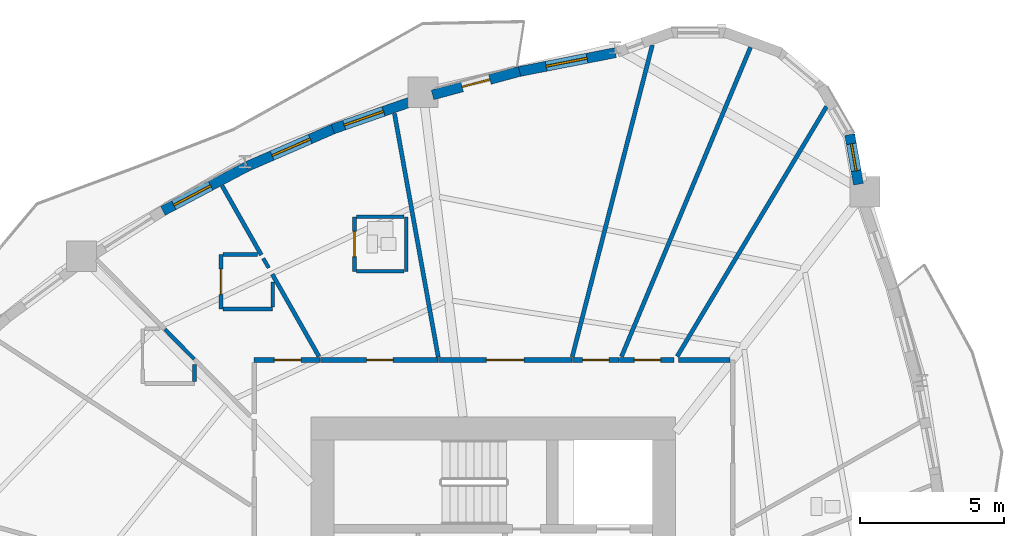
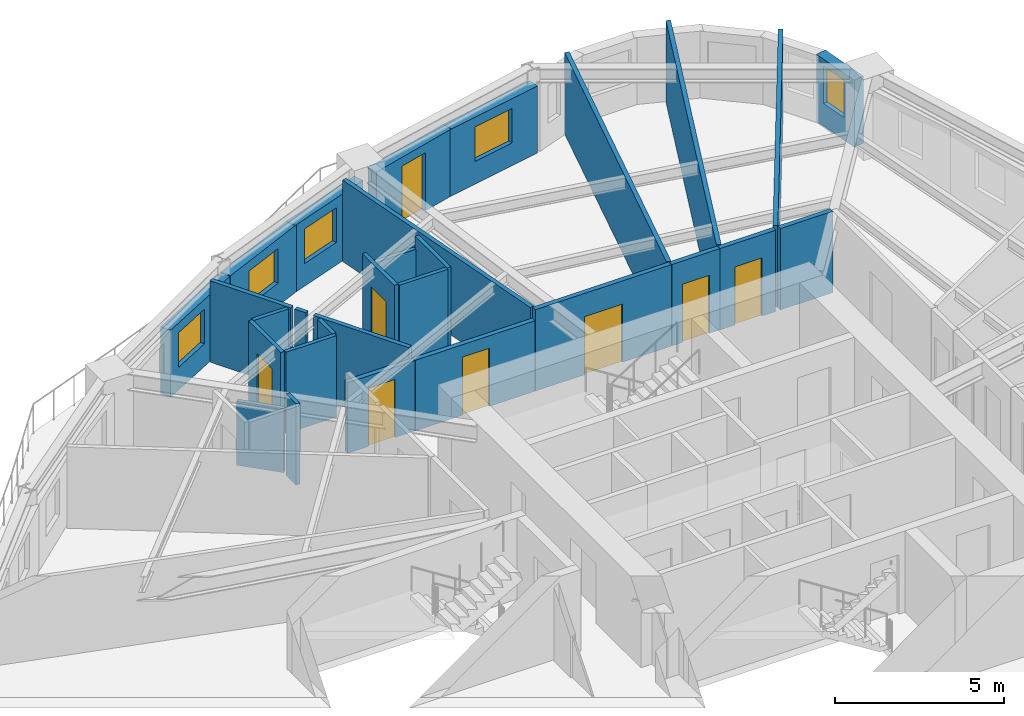
# One storey, part 8 of 13: 29 walls, 8 doors, 5 windows, 13 openings.
"""IFC4 building model written with IfcOpenShell, lengths in metres."""

from ifc_helpers import new_model, si_unit, direction, frame, frame_2d, origin, place, context, subcontext, project, spatial, rectangle, extrude, source, transform, mapped, material, layer, layer_set, type_object, element, fill, save


model = new_model("IFC4")

# Units and contexts
model_context = context("Model", 3, precision=1e-05, world=origin(), true_north=direction((0.0, 1.0)))
body_context = subcontext(model_context, "Body", "Model", "MODEL_VIEW")
ifc_project = project(units=[si_unit("LENGTHUNIT", "METRE"), si_unit("AREAUNIT", "SQUARE_METRE"), si_unit("VOLUMEUNIT", "CUBIC_METRE"), si_unit("PLANEANGLEUNIT", "RADIAN"), si_unit("MASSUNIT", "GRAM", prefix="KILO")], contexts=[model_context])

# Site, building, storey
site_placement = place(None, origin())
site = spatial("IfcSite", under=ifc_project, at=site_placement, CompositionType="ELEMENT")
building_placement = place(site_placement, origin())
building = spatial("IfcBuilding", under=site, at=building_placement, Name="Qafzar Sky-Pleat Residences", CompositionType="ELEMENT")
storey_placement = place(building_placement, frame((0.0, 0.0, 49.39990234375)))
storey = spatial("IfcBuildingStorey", under=building, at=storey_placement, Name="L14", CompositionType="ELEMENT", Elevation=49.39990234375)

# Wall, opening, door
ifc_material_1 = material(Name="Acoustic gypsum plasterboard partition", Category="gypsum")
ifc_layer_1 = layer(ifc_material_1, 0.159912109375)
ifc_layer_set_1 = layer_set([ifc_layer_1], Name="Acoustic gypsum plasterboard partition")
wall_type_1 = type_object("IfcWallType", Name="PART-COR-160", PredefinedType="PARTITIONING", material=ifc_layer_set_1)
wall_1_placement = place(storey_placement, frame((28.43310546875, 36.580078125, 0.0), z_axis=(0.0, 0.0, 1.0), x_axis=(1.0, 0.0, 0.0)))
wall_1 = element("IfcWall", 1, at=wall_1_placement, inside=storey, type_object=wall_type_1, Name="L14 Partition Wall PART-L14-PW-004", PredefinedType="PARTITIONING", context=body_context, shape_type="SweptSolid", body=[
    extrude(rectangle(XDim=4.65087890625, YDim=0.159912109375, at=frame_2d((2.325439453125, 0.0))), origin(), (0.0, 0.0, 1.0), 2.940185546875),
])
opening_1_placement = place(wall_1_placement, frame((1.675537109375, 0.0, 0.0)))
opening_1 = element("IfcOpeningElement", 2, at=opening_1_placement, cuts=wall_1, Name="Opening ID-05", PredefinedType="OPENING", context=body_context, shape_type="SweptSolid", body=[
    extrude(rectangle(XDim=1.300048828125, YDim=2.10009765625, at=frame_2d((0.64990234375, 1.050048828125))), frame((0.0, 0.08984375, 0.0), z_axis=(0.0, -1.0, 0.0), x_axis=(1.0, 0.0, 0.0)), (0.0, 0.0, 1.0), 0.179931640625),
])
ifc_material_2 = material(Name="Timber-faced fire door", Category="wood")
door_type_1 = type_object("IfcDoorType", Name="DR-LNG-1300", OperationType="DOUBLE_DOOR_SINGLE_SWING", PredefinedType="DOOR", material=ifc_material_2)
shared_shape_1 = source(origin(), body_context, "Body", "SweptSolid", [
    extrude(rectangle(XDim=1.300048828125, YDim=2.10009765625, at=frame_2d((0.64990234375, 1.050048828125))), frame((0.0, 0.02490234375, 0.0), z_axis=(0.0, -1.0, 0.0), x_axis=(1.0, 0.0, 0.0)), (0.0, 0.0, 1.0), 0.050048828125),
])
door_1_placement = place(opening_1_placement, origin())
door_1 = element("IfcDoor", 3, at=door_1_placement, inside=storey, type_object=door_type_1, Name="L14 Tutorial Huddle Room Door", OperationType="DOUBLE_DOOR_SINGLE_SWING", OverallHeight=2.10009765625, OverallWidth=1.300048828125, PredefinedType="DOOR", context=body_context, shape_type="MappedRepresentation", body=[
    mapped(shared_shape_1, transform((0.0, 0.0, 0.0), x_axis=(1.0, 0.0, 0.0), y_axis=(0.0, 1.0, 0.0), z_axis=(0.0, 0.0, 1.0), scale=1.0)),
])
fill(opening_1, door_1)

wall_2_placement = place(storey_placement, frame((24.3291015625, 36.580078125, 0.0), z_axis=(0.0, 0.0, 1.0), x_axis=(1.0, 0.0, 0.0)))
wall_2 = element("IfcWall", 4, at=wall_2_placement, inside=storey, type_object=wall_type_1, Name="L14 Partition Wall PART-L14-PW-005", PredefinedType="PARTITIONING", context=body_context, shape_type="SweptSolid", body=[
    extrude(rectangle(XDim=4.0888671875, YDim=0.159912109375, at=frame_2d((2.04443359375, 0.0))), origin(), (0.0, 0.0, 1.0), 2.548095703125),
])
opening_2_placement = place(wall_2_placement, frame((1.6083984375, 0.0, 0.0)))
opening_2 = element("IfcOpeningElement", 5, at=opening_2_placement, cuts=wall_2, Name="Opening ID-04", PredefinedType="OPENING", context=body_context, shape_type="SweptSolid", body=[
    extrude(rectangle(XDim=0.919921875, YDim=2.10009765625, at=frame_2d((0.4599609375, 1.050048828125))), frame((0.0, 0.08984375, 0.0), z_axis=(0.0, -1.0, 0.0), x_axis=(1.0, 0.0, 0.0)), (0.0, 0.0, 1.0), 0.179931640625),
])
door_type_2 = type_object("IfcDoorType", Name="DR-BED-920", OperationType="NOTDEFINED", PredefinedType="DOOR", material=ifc_material_2)
shared_shape_2 = source(origin(), body_context, "Body", "SweptSolid", [
    extrude(rectangle(XDim=0.919921875, YDim=2.10009765625, at=frame_2d((0.4599609375, 1.050048828125))), frame((0.0, 0.02490234375, 0.0), z_axis=(0.0, -1.0, 0.0), x_axis=(1.0, 0.0, 0.0)), (0.0, 0.0, 1.0), 0.050048828125),
])
door_2_placement = place(opening_2_placement, origin())
door_2 = element("IfcDoor", 6, at=door_2_placement, inside=storey, type_object=door_type_2, Name="L14 Co-Living Bedroom 7 Door", OperationType="SINGLE_SWING_LEFT", OverallHeight=2.10009765625, OverallWidth=0.919921875, PredefinedType="DOOR", context=body_context, shape_type="MappedRepresentation", body=[
    mapped(shared_shape_2, transform((0.0, 0.0, 0.0), x_axis=(1.0, 0.0, 0.0), y_axis=(0.0, 1.0, 0.0), z_axis=(0.0, 0.0, 1.0), scale=1.0)),
])
fill(opening_2, door_2)

wall_3_placement = place(storey_placement, frame((22.02001953125, 36.580078125, 0.0), z_axis=(0.0, 0.0, 1.0), x_axis=(1.0, 0.0, 0.0)))
wall_3 = element("IfcWall", 7, at=wall_3_placement, inside=storey, type_object=wall_type_1, Name="L14 Partition Wall PART-L14-PW-013", PredefinedType="PARTITIONING", context=body_context, shape_type="SweptSolid", body=[
    extrude(rectangle(XDim=2.2939453125, YDim=0.159912109375, at=frame_2d((1.14697265625, 0.0))), origin(), (0.0, 0.0, 1.0), 2.548095703125),
])
opening_3_placement = place(wall_3_placement, frame((0.702880859375, 0.0, 0.0)))
opening_3 = element("IfcOpeningElement", 8, at=opening_3_placement, cuts=wall_3, Name="Opening ID-04", PredefinedType="OPENING", context=body_context, shape_type="SweptSolid", body=[
    extrude(rectangle(XDim=0.919921875, YDim=2.10009765625, at=frame_2d((0.4599609375, 1.050048828125))), frame((0.0, 0.08984375, 0.0), z_axis=(0.0, -1.0, 0.0), x_axis=(1.0, 0.0, 0.0)), (0.0, 0.0, 1.0), 0.179931640625),
])
door_3_placement = place(opening_3_placement, origin())
door_3 = element("IfcDoor", 9, at=door_3_placement, inside=storey, type_object=door_type_2, Name="L14 Co-Living Bedroom 9 Door", OperationType="SINGLE_SWING_LEFT", OverallHeight=2.10009765625, OverallWidth=0.919921875, PredefinedType="DOOR", context=body_context, shape_type="MappedRepresentation", body=[
    mapped(shared_shape_2, transform((0.0, 0.0, 0.0), x_axis=(1.0, 0.0, 0.0), y_axis=(0.0, 1.0, 0.0), z_axis=(0.0, 0.0, 1.0), scale=1.0)),
])
fill(opening_3, door_3)

wall_4_placement = place(storey_placement, frame((34.74609375, 36.580078125, 0.0), z_axis=(0.0, 0.0, 1.0), x_axis=(1.0, 0.0, 0.0)))
wall_4 = element("IfcWall", 10, at=wall_4_placement, inside=storey, type_object=wall_type_1, Name="L14 Partition Wall PART-L14-PW-022", PredefinedType="PARTITIONING", context=body_context, shape_type="SweptSolid", body=[
    extrude(rectangle(XDim=1.89794921875, YDim=0.159912109375, at=frame_2d((0.948974609375, 0.0))), origin(), (0.0, 0.0, 1.0), 2.940185546875),
])
opening_4_placement = place(wall_4_placement, frame((0.513427734375, 0.0, 0.0)))
opening_4 = element("IfcOpeningElement", 11, at=opening_4_placement, cuts=wall_4, Name="Opening ID-04", PredefinedType="OPENING", context=body_context, shape_type="SweptSolid", body=[
    extrude(rectangle(XDim=0.919921875, YDim=2.10009765625, at=frame_2d((0.4599609375, 1.050048828125))), frame((0.0, 0.08984375, 0.0), z_axis=(0.0, -1.0, 0.0), x_axis=(1.0, 0.0, 0.0)), (0.0, 0.0, 1.0), 0.179931640625),
])
door_4_placement = place(opening_4_placement, origin())
door_4 = element("IfcDoor", 12, at=door_4_placement, inside=storey, type_object=door_type_2, Name="L14 Co-Living Bedroom 6 Door", OperationType="SINGLE_SWING_RIGHT", OverallHeight=2.10009765625, OverallWidth=0.919921875, PredefinedType="DOOR", context=body_context, shape_type="MappedRepresentation", body=[
    mapped(shared_shape_2, transform((0.0, 0.0, 0.0), x_axis=(1.0, 0.0, 0.0), y_axis=(0.0, 1.0, 0.0), z_axis=(0.0, 0.0, 1.0), scale=1.0)),
])
fill(opening_4, door_4)

wall_5_placement = place(storey_placement, frame((33.09912109375, 36.580078125, 0.0), z_axis=(0.0, 0.0, 1.0), x_axis=(1.0, 0.0, 0.0)))
wall_5 = element("IfcWall", 13, at=wall_5_placement, inside=storey, type_object=wall_type_1, Name="L14 Partition Wall PART-L14-PW-026", PredefinedType="PARTITIONING", context=body_context, shape_type="SweptSolid", body=[
    extrude(rectangle(XDim=1.6318359375, YDim=0.159912109375, at=frame_2d((0.81591796875, 0.0))), origin(), (0.0, 0.0, 1.0), 2.940185546875),
])
opening_5_placement = place(wall_5_placement, frame((0.3564453125, 0.0, 0.0)))
opening_5 = element("IfcOpeningElement", 14, at=opening_5_placement, cuts=wall_5, Name="Opening ID-04", PredefinedType="OPENING", context=body_context, shape_type="SweptSolid", body=[
    extrude(rectangle(XDim=0.919921875, YDim=2.10009765625, at=frame_2d((0.4599609375, 1.050048828125))), frame((0.0, 0.08984375, 0.0), z_axis=(0.0, -1.0, 0.0), x_axis=(1.0, 0.0, 0.0)), (0.0, 0.0, 1.0), 0.179931640625),
])
door_5_placement = place(opening_5_placement, origin())
door_5 = element("IfcDoor", 15, at=door_5_placement, inside=storey, type_object=door_type_2, Name="L14 Co-Living Bedroom 5 Door", OperationType="SINGLE_SWING_RIGHT", OverallHeight=2.10009765625, OverallWidth=0.919921875, PredefinedType="DOOR", context=body_context, shape_type="MappedRepresentation", body=[
    mapped(shared_shape_2, transform((0.0, 0.0, 0.0), x_axis=(1.0, 0.0, 0.0), y_axis=(0.0, 1.0, 0.0), z_axis=(0.0, 0.0, 1.0), scale=1.0)),
])
fill(opening_5, door_5)

# Walls
wall_6_placement = place(storey_placement, frame((36.79931640625, 36.580078125, 0.0), z_axis=(0.0, 0.0, 1.0), x_axis=(1.0, 0.0, 0.0)))
element("IfcWall", 16, at=wall_6_placement, inside=storey, type_object=wall_type_1, Name="L14 Partition Wall PART-L14-PW-058", PredefinedType="PARTITIONING", context=body_context, shape_type="SweptSolid", body=[
    extrude(rectangle(XDim=1.792724609375, YDim=0.159912109375, at=frame_2d((0.896484375, 0.0))), origin(), (0.0, 0.0, 1.0), 2.940185546875),
])
ifc_layer_2 = layer(ifc_material_1, 0.14501953125)
ifc_layer_set_2 = layer_set([ifc_layer_2], Name="Acoustic gypsum plasterboard partition")
wall_type_2 = type_object("IfcWallType", Name="PART-UNIT-145", PredefinedType="PARTITIONING", material=ifc_layer_set_2)
wall_7_placement = place(storey_placement, frame((34.81103515625, 36.6953125, 0.0), z_axis=(0.0, 0.0, 1.0), x_axis=(0.384925700713, 0.922947563479, 0.0)))
element("IfcWall", 17, at=wall_7_placement, inside=storey, type_object=wall_type_2, Name="L14 Partition Wall PART-L14-PW-032", PredefinedType="PARTITIONING", context=body_context, shape_type="SweptSolid", body=[
    extrude(rectangle(XDim=11.6748046875, YDim=0.14501953125, at=frame_2d((5.83740234375, 0.0))), origin(), (0.0, 0.0, 1.0), 2.940185546875),
])
wall_8_placement = place(storey_placement, frame((33.09521484375, 36.685791015625, 0.0), z_axis=(0.0, 0.0, 1.0), x_axis=(0.24882519125, 0.96854841087, 0.0)))
element("IfcWall", 18, at=wall_8_placement, inside=storey, type_object=wall_type_2, Name="L14 Partition Wall PART-L14-PW-034", PredefinedType="PARTITIONING", context=body_context, shape_type="SweptSolid", body=[
    extrude(rectangle(XDim=11.2158203125, YDim=0.14501953125, at=frame_2d((5.60791015625, 0.0))), origin(), (0.0, 0.0, 1.0), 2.940185546875),
])
wall_9_placement = place(storey_placement, frame((36.750244140625, 36.7041015625, 0.0), z_axis=(0.0, 0.0, 1.0), x_axis=(0.51326307339, 0.858231330991, 0.0)))
element("IfcWall", 19, at=wall_9_placement, inside=storey, type_object=wall_type_2, Name="L14 Partition Wall PART-L14-PW-038", PredefinedType="PARTITIONING", context=body_context, shape_type="SweptSolid", body=[
    extrude(rectangle(XDim=10.14013671875, YDim=0.14501953125, at=frame_2d((5.070068359375, 0.0))), origin(), (0.0, 0.0, 1.0), 2.940185546875),
])
wall_10_placement = place(storey_placement, frame((26.9052734375, 45.16650390625, 0.0), z_axis=(0.0, 0.0, 1.0), x_axis=(0.176948932403, -0.984220033997, 0.0)))
element("IfcWall", 20, at=wall_10_placement, inside=storey, type_object=wall_type_2, Name="L14 Partition Wall PART-L14-PW-039", PredefinedType="PARTITIONING", context=body_context, shape_type="SweptSolid", body=[
    extrude(rectangle(XDim=8.621826171875, YDim=0.14501953125, at=frame_2d((4.31103515625, 0.0))), origin(), (0.0, 0.0, 1.0), 2.940185546875),
])
wall_11_placement = place(storey_placement, frame((22.65087890625, 39.56689453125, 0.0), z_axis=(0.0, 0.0, 1.0), x_axis=(0.493566118786, -0.8697082766, 0.0)))
element("IfcWall", 21, at=wall_11_placement, inside=storey, type_object=wall_type_2, Name="L14 Partition Wall PART-L14-PW-050", PredefinedType="PARTITIONING", context=body_context, shape_type="SweptSolid", body=[
    extrude(rectangle(XDim=3.29345703125, YDim=0.14501953125, at=frame_2d((1.646728515625, 0.0))), origin(), (0.0, 0.0, 1.0), 2.940185546875),
])
wall_12_placement = place(storey_placement, frame((20.901123046875, 42.651123046875, 0.0), z_axis=(0.0, 0.0, 1.0), x_axis=(0.4934166236, -0.86979309928, 0.0)))
element("IfcWall", 22, at=wall_12_placement, inside=storey, type_object=wall_type_2, Name="L14 Partition Wall PART-L14-PW-054", PredefinedType="PARTITIONING", context=body_context, shape_type="SweptSolid", body=[
    extrude(rectangle(XDim=2.7744140625, YDim=0.14501953125, at=frame_2d((1.38720703125, 0.0))), origin(), (0.0, 0.0, 1.0), 2.940185546875),
])

# Wall, opening, door
ifc_material_3 = material(Name="Moisture-resistant gypsum partition", Category="gypsum")
ifc_layer_3 = layer(ifc_material_3, 0.1298828125)
ifc_layer_set_3 = layer_set([ifc_layer_3], Name="Moisture-resistant gypsum partition")
wall_type_3 = type_object("IfcWallType", Name="PART-WET-130", PredefinedType="PARTITIONING", material=ifc_layer_set_3)
wall_13_placement = place(storey_placement, frame((25.511962890625, 41.568115234375, 0.0), z_axis=(0.0, 0.0, 1.0), x_axis=(0.0, -1.0, 0.0)))
wall_13 = element("IfcWall", 23, at=wall_13_placement, inside=storey, type_object=wall_type_3, Name="L14 Partition Wall PART-L14-PW-018", PredefinedType="PARTITIONING", context=body_context, shape_type="SweptSolid", body=[
    extrude(rectangle(XDim=1.900146484375, YDim=0.1298828125, at=frame_2d((0.9501953125, 0.0))), origin(), (0.0, 0.0, 1.0), 2.940185546875),
])
opening_6_placement = place(wall_13_placement, frame((0.510009765625, 0.0, 0.0)))
opening_6 = element("IfcOpeningElement", 24, at=opening_6_placement, cuts=wall_13, Name="Opening ID-07", PredefinedType="OPENING", context=body_context, shape_type="SweptSolid", body=[
    extrude(rectangle(XDim=0.8798828125, YDim=2.050048828125, at=frame_2d((0.43994140625, 1.02490234375))), frame((0.0, 0.074951171875, 0.0), z_axis=(0.0, -1.0, 0.0), x_axis=(1.0, 0.0, 0.0)), (0.0, 0.0, 1.0), 0.14990234375),
])
door_type_3 = type_object("IfcDoorType", Name="DR-WET-880", OperationType="NOTDEFINED", PredefinedType="DOOR", material=ifc_material_2)
shared_shape_3 = source(origin(), body_context, "Body", "SweptSolid", [
    extrude(rectangle(XDim=0.8798828125, YDim=2.050048828125, at=frame_2d((0.43994140625, 1.02490234375))), frame((0.0, 0.02490234375, 0.0), z_axis=(0.0, -1.0, 0.0), x_axis=(1.0, 0.0, 0.0)), (0.0, 0.0, 1.0), 0.050048828125),
])
door_6_placement = place(opening_6_placement, origin())
door_6 = element("IfcDoor", 25, at=door_6_placement, inside=storey, type_object=door_type_3, Name="L14 En-suite Bathroom 7 Door", OperationType="SINGLE_SWING_RIGHT", OverallHeight=2.050048828125, OverallWidth=0.8798828125, PredefinedType="DOOR", context=body_context, shape_type="MappedRepresentation", body=[
    mapped(shared_shape_3, transform((0.0, 0.0, 0.0), x_axis=(1.0, 0.0, 0.0), y_axis=(0.0, 1.0, 0.0), z_axis=(0.0, 0.0, 1.0), scale=1.0)),
])
fill(opening_6, door_6)

wall_14_placement = place(storey_placement, frame((20.865966796875, 40.2529296875, 0.0), z_axis=(0.0, 0.0, 1.0), x_axis=(0.0, -1.0, 0.0)))
wall_14 = element("IfcWall", 26, at=wall_14_placement, inside=storey, type_object=wall_type_3, Name="L14 Partition Wall PART-L14-PW-020", PredefinedType="PARTITIONING", context=body_context, shape_type="SweptSolid", body=[
    extrude(rectangle(XDim=1.89990234375, YDim=0.1298828125, at=frame_2d((0.949951171875, 0.0))), origin(), (0.0, 0.0, 1.0), 2.940185546875),
])
opening_7_placement = place(wall_14_placement, frame((0.510009765625, 0.0, 0.0)))
opening_7 = element("IfcOpeningElement", 27, at=opening_7_placement, cuts=wall_14, Name="Opening ID-07", PredefinedType="OPENING", context=body_context, shape_type="SweptSolid", body=[
    extrude(rectangle(XDim=0.8798828125, YDim=2.050048828125, at=frame_2d((0.43994140625, 1.02490234375))), frame((0.0, 0.074951171875, 0.0), z_axis=(0.0, -1.0, 0.0), x_axis=(1.0, 0.0, 0.0)), (0.0, 0.0, 1.0), 0.14990234375),
])
door_7_placement = place(opening_7_placement, origin())
door_7 = element("IfcDoor", 28, at=door_7_placement, inside=storey, type_object=door_type_3, Name="L14 En-suite Bathroom 9 Door", OperationType="SINGLE_SWING_RIGHT", OverallHeight=2.050048828125, OverallWidth=0.8798828125, PredefinedType="DOOR", context=body_context, shape_type="MappedRepresentation", body=[
    mapped(shared_shape_3, transform((0.0, 0.0, 0.0), x_axis=(1.0, 0.0, 0.0), y_axis=(0.0, 1.0, 0.0), z_axis=(0.0, 0.0, 1.0), scale=1.0)),
])
fill(opening_7, door_7)

# Walls
wall_15_placement = place(storey_placement, frame((27.31201171875, 39.66796875, 0.0), z_axis=(0.0, 0.0, 1.0), x_axis=(0.0, 1.0, 0.0)))
element("IfcWall", 29, at=wall_15_placement, inside=storey, type_object=wall_type_3, Name="L14 Partition Wall PART-L14-PW-059", PredefinedType="PARTITIONING", context=body_context, shape_type="SweptSolid", body=[
    extrude(rectangle(XDim=1.900146484375, YDim=0.1298828125, at=frame_2d((0.9501953125, 0.0))), origin(), (0.0, 0.0, 1.0), 2.940185546875),
])
wall_16_placement = place(storey_placement, frame((25.5849609375, 41.568115234375, 0.0), z_axis=(0.0, 0.0, 1.0), x_axis=(1.0, 0.0, 0.0)))
element("IfcWall", 30, at=wall_16_placement, inside=storey, type_object=wall_type_3, Name="L14 Partition Wall PART-L14-PW-062", PredefinedType="PARTITIONING", context=body_context, shape_type="SweptSolid", body=[
    extrude(rectangle(XDim=1.654052734375, YDim=0.1298828125, at=frame_2d((0.8271484375, 0.0))), origin(), (0.0, 0.0, 1.0), 2.508056640625),
])
wall_17_placement = place(storey_placement, frame((25.5849609375, 39.66796875, 0.0), z_axis=(0.0, 0.0, 1.0), x_axis=(1.0, 0.0, 0.0)))
element("IfcWall", 31, at=wall_17_placement, inside=storey, type_object=wall_type_3, Name="L14 Partition Wall PART-L14-PW-063", PredefinedType="PARTITIONING", context=body_context, shape_type="SweptSolid", body=[
    extrude(rectangle(XDim=1.654052734375, YDim=0.1298828125, at=frame_2d((0.8271484375, 0.0))), origin(), (0.0, 0.0, 1.0), 2.940185546875),
])
wall_18_placement = place(storey_placement, frame((20.93896484375, 38.35302734375, 0.0), z_axis=(0.0, 0.0, 1.0), x_axis=(1.0, 0.0, 0.0)))
element("IfcWall", 32, at=wall_18_placement, inside=storey, type_object=wall_type_3, Name="L14 Partition Wall PART-L14-PW-064", PredefinedType="PARTITIONING", context=body_context, shape_type="SweptSolid", body=[
    extrude(rectangle(XDim=1.72705078125, YDim=0.1298828125, at=frame_2d((0.863525390625, 0.0))), origin(), (0.0, 0.0, 1.0), 2.940185546875),
])
wall_19_placement = place(storey_placement, frame((18.910400390625, 37.6533203125, 0.0), z_axis=(0.0, 0.0, 1.0), x_axis=(0.700686611827, -0.713469180838, 0.0)))
element("IfcWall", 33, at=wall_19_placement, inside=storey, type_object=wall_type_3, Name="L14 Partition Wall PART-L14-PW-080", PredefinedType="PARTITIONING", context=body_context, shape_type="SweptSolid", body=[
    extrude(rectangle(XDim=1.45166015625, YDim=0.1298828125, at=frame_2d((0.725830078125, 0.0))), origin(), (0.0, 0.0, 1.0), 2.30810546875),
])
wall_20_placement = place(storey_placement, frame((20.93896484375, 40.2529296875, 0.0), z_axis=(0.0, 0.0, 1.0), x_axis=(1.0, 0.0, 0.0)))
element("IfcWall", 34, at=wall_20_placement, inside=storey, type_object=wall_type_3, Name="L14 Partition Wall PART-L14-PW-081", PredefinedType="PARTITIONING", context=body_context, shape_type="SweptSolid", body=[
    extrude(rectangle(XDim=1.19482421875, YDim=0.1298828125, at=frame_2d((0.597412109375, 0.0))), origin(), (0.0, 0.0, 1.0), 2.940185546875),
])
wall_21_placement = place(storey_placement, frame((22.666015625, 38.426025390625, 0.0), z_axis=(0.0, 0.0, 1.0), x_axis=(0.0, 1.0, 0.0)))
element("IfcWall", 35, at=wall_21_placement, inside=storey, type_object=wall_type_3, Name="L14 Partition Wall PART-L14-PW-084", PredefinedType="PARTITIONING", context=body_context, shape_type="SweptSolid", body=[
    extrude(rectangle(XDim=0.8740234375, YDim=0.1298828125, at=frame_2d((0.43701171875, 0.0))), origin(), (0.0, 0.0, 1.0), 2.940185546875),
])
wall_22_placement = place(storey_placement, frame((19.93798828125, 35.8369140625, 0.0), z_axis=(0.0, 0.0, 1.0), x_axis=(0.0, 1.0, 0.0)))
element("IfcWall", 36, at=wall_22_placement, inside=storey, type_object=wall_type_3, Name="L14 Partition Wall PART-L14-PW-085", PredefinedType="PARTITIONING", context=body_context, shape_type="SweptSolid", body=[
    extrude(rectangle(XDim=0.59228515625, YDim=0.1298828125, at=frame_2d((0.296142578125, 0.0))), origin(), (0.0, 0.0, 1.0), 2.940185546875),
])
wall_23_placement = place(storey_placement, frame((22.33642578125, 40.12109375, 0.0), z_axis=(0.0, 0.0, 1.0), x_axis=(0.493383408092, -0.86981194095, 0.0)))
element("IfcWall", 37, at=wall_23_placement, inside=storey, type_object=wall_type_3, Name="L14 Partition Wall PART-L14-PW-087", PredefinedType="PARTITIONING", context=body_context, shape_type="SweptSolid", body=[
    extrude(rectangle(XDim=0.382080078125, YDim=0.1298828125, at=frame_2d((0.19091796875, 0.0))), origin(), (0.0, 0.0, 1.0), 2.940185546875),
])

# Wall, opening, window
ifc_material_4 = material(Name="Precast concrete C40/50 with honed Riyadh limestone", Category="concrete")
ifc_layer_4 = layer(ifc_material_4, 0.35009765625)
ifc_layer_set_4 = layer_set([ifc_layer_4], Name="Precast concrete C40/50 with honed Riyadh limestone")
wall_type_4 = type_object("IfcWallType", Name="WALL-EXT-350", PredefinedType="SOLIDWALL", material=ifc_layer_set_4)
wall_24_placement = place(storey_placement, frame((43.065673828125, 42.702392578125, 0.0), z_axis=(0.0, 0.0, 1.0), x_axis=(-0.173745591742, 0.984790571315, 0.0)))
wall_24 = element("IfcWall", 38, at=wall_24_placement, inside=storey, type_object=wall_type_4, Name="L14 Limestone Facade Wall 33", PredefinedType="SOLIDWALL", context=body_context, shape_type="SweptSolid", body=[
    extrude(rectangle(XDim=1.752197265625, YDim=0.35009765625, at=frame_2d((0.8759765625, 0.0))), origin(), (0.0, 0.0, 1.0), 2.420166015625),
])
opening_8_placement = place(wall_24_placement, frame((0.476318359375, 0.0, 0.820068359375)))
opening_8 = element("IfcOpeningElement", 39, at=opening_8_placement, cuts=wall_24, Name="Opening WN-12", PredefinedType="OPENING", context=body_context, shape_type="SweptSolid", body=[
    extrude(rectangle(XDim=0.949951171875, YDim=1.35009765625, at=frame_2d((0.47509765625, 0.675048828125))), frame((0.0, 0.18505859375, 0.0), z_axis=(0.0, -1.0, 0.0), x_axis=(1.0, 0.0, 0.0)), (0.0, 0.0, 1.0), 0.3701171875),
])
ifc_material_5 = material(Name="Solar-control low-E glass in bronze aluminium frame", Category="glass")
window_type_1 = type_object("IfcWindowType", Name="WIN-12", PartitioningType="SINGLE_PANEL", PredefinedType="WINDOW", material=ifc_material_5)
shared_shape_4 = source(origin(), body_context, "Body", "SweptSolid", [
    extrude(rectangle(XDim=0.949951171875, YDim=1.35009765625, at=frame_2d((0.47509765625, 0.675048828125))), frame((0.0, 0.030029296875, 0.0), z_axis=(0.0, -1.0, 0.0), x_axis=(1.0, 0.0, 0.0)), (0.0, 0.0, 1.0), 0.06005859375),
])
window_1_placement = place(opening_8_placement, origin())
window_1 = element("IfcWindow", 40, at=window_1_placement, inside=storey, type_object=window_type_1, Name="L14 Punched Facade Window 33", OverallHeight=1.35009765625, OverallWidth=0.949951171875, PartitioningType="SINGLE_PANEL", PredefinedType="WINDOW", context=body_context, shape_type="MappedRepresentation", body=[
    mapped(shared_shape_4, transform((0.0, 0.0, 0.0), x_axis=(1.0, 0.0, 0.0), y_axis=(0.0, 1.0, 0.0), z_axis=(0.0, 0.0, 1.0), scale=1.0)),
])
fill(opening_8, window_1)

wall_25_placement = place(storey_placement, frame((34.60400390625, 47.284423828125, 0.0), z_axis=(0.0, 0.0, 1.0), x_axis=(-0.981236541068, -0.192807807086, 0.0)))
wall_25 = element("IfcWall", 41, at=wall_25_placement, inside=storey, type_object=wall_type_4, Name="L14 Limestone Facade Wall 39", PredefinedType="SOLIDWALL", context=body_context, shape_type="SweptSolid", body=[
    extrude(rectangle(XDim=3.4921875, YDim=0.35009765625, at=frame_2d((1.74609375, 0.0))), origin(), (0.0, 0.0, 1.0), 2.420166015625),
])
opening_9_placement = place(wall_25_placement, frame((1.01123046875, 0.0, 0.820068359375)))
opening_9 = element("IfcOpeningElement", 42, at=opening_9_placement, cuts=wall_25, Name="Opening WN-15", PredefinedType="OPENING", context=body_context, shape_type="SweptSolid", body=[
    extrude(rectangle(XDim=1.449951171875, YDim=1.25, at=frame_2d((0.72509765625, 0.625))), frame((0.0, 0.18505859375, 0.0), z_axis=(0.0, -1.0, 0.0), x_axis=(1.0, 0.0, 0.0)), (0.0, 0.0, 1.0), 0.3701171875),
])
window_type_2 = type_object("IfcWindowType", Name="WIN-15", PartitioningType="SINGLE_PANEL", PredefinedType="WINDOW", material=ifc_material_5)
shared_shape_5 = source(origin(), body_context, "Body", "SweptSolid", [
    extrude(rectangle(XDim=1.449951171875, YDim=1.25, at=frame_2d((0.72509765625, 0.625))), frame((0.0, 0.030029296875, 0.0), z_axis=(0.0, -1.0, 0.0), x_axis=(1.0, 0.0, 0.0)), (0.0, 0.0, 1.0), 0.06005859375),
])
window_2_placement = place(opening_9_placement, origin())
window_2 = element("IfcWindow", 43, at=window_2_placement, inside=storey, type_object=window_type_2, Name="L14 Punched Facade Window 39", OverallHeight=1.25, OverallWidth=1.449951171875, PartitioningType="SINGLE_PANEL", PredefinedType="WINDOW", context=body_context, shape_type="MappedRepresentation", body=[
    mapped(shared_shape_5, transform((0.0, 0.0, 0.0), x_axis=(1.0, 0.0, 0.0), y_axis=(0.0, 1.0, 0.0), z_axis=(0.0, 0.0, 1.0), scale=1.0)),
])
fill(opening_9, window_2)

# Wall, opening, door
wall_26_placement = place(storey_placement, frame((31.26318359375, 46.631103515625, 0.0), z_axis=(0.0, 0.0, 1.0), x_axis=(-0.965460187066, -0.260550623086, 0.0)))
wall_26 = element("IfcWall", 44, at=wall_26_placement, inside=storey, type_object=wall_type_4, Name="L14 Limestone Facade Wall 40", PredefinedType="SOLIDWALL", context=body_context, shape_type="SweptSolid", body=[
    extrude(rectangle(XDim=3.139892578125, YDim=0.35009765625, at=frame_2d((1.56982421875, 0.0))), origin(), (0.0, 0.0, 1.0), 2.420166015625),
])
opening_10_placement = place(wall_26_placement, frame((1.06982421875, 0.0, 0.0)))
opening_10 = element("IfcOpeningElement", 45, at=opening_10_placement, cuts=wall_26, Name="Opening ED-05", PredefinedType="OPENING", context=body_context, shape_type="SweptSolid", body=[
    extrude(rectangle(XDim=1.0, YDim=2.10009765625, at=frame_2d((0.5, 1.050048828125))), frame((0.0, 0.18505859375, 0.0), z_axis=(0.0, -1.0, 0.0), x_axis=(1.0, 0.0, 0.0)), (0.0, 0.0, 1.0), 0.3701171875),
])
ifc_material_6 = material(Name="Glazed bronze aluminium door", Category="aluminium")
door_type_4 = type_object("IfcDoorType", Name="DR-BAL-1000", OperationType="NOTDEFINED", PredefinedType="DOOR", material=ifc_material_6)
shared_shape_6 = source(origin(), body_context, "Body", "SweptSolid", [
    extrude(rectangle(XDim=1.0, YDim=2.10009765625, at=frame_2d((0.5, 1.050048828125))), frame((0.0, 0.02490234375, 0.0), z_axis=(0.0, -1.0, 0.0), x_axis=(1.0, 0.0, 0.0)), (0.0, 0.0, 1.0), 0.050048828125),
])
door_8_placement = place(opening_10_placement, origin())
door_8 = element("IfcDoor", 46, at=door_8_placement, inside=storey, type_object=door_type_4, Name="L14 Glazed Balcony Door 2", OperationType="SINGLE_SWING_LEFT", OverallHeight=2.10009765625, OverallWidth=1.0, PredefinedType="DOOR", context=body_context, shape_type="MappedRepresentation", body=[
    mapped(shared_shape_6, transform((0.0, 0.0, 0.0), x_axis=(1.0, 0.0, 0.0), y_axis=(0.0, 1.0, 0.0), z_axis=(0.0, 0.0, 1.0), scale=1.0)),
])
fill(opening_10, door_8)

# Wall, opening, window
wall_27_placement = place(storey_placement, frame((27.6708984375, 45.6396484375, 0.0), z_axis=(0.0, 0.0, 1.0), x_axis=(-0.944140624307, -0.329542837175, 0.0)))
wall_27 = element("IfcWall", 47, at=wall_27_placement, inside=storey, type_object=wall_type_4, Name="L14 Limestone Facade Wall 41", PredefinedType="SOLIDWALL", context=body_context, shape_type="SweptSolid", body=[
    extrude(rectangle(XDim=3.084228515625, YDim=0.35009765625, at=frame_2d((1.5419921875, 0.0))), origin(), (0.0, 0.0, 1.0), 2.420166015625),
])
opening_11_placement = place(wall_27_placement, frame((1.214111328125, 0.0, 0.820068359375)))
opening_11 = element("IfcOpeningElement", 48, at=opening_11_placement, cuts=wall_27, Name="Opening WN-15", PredefinedType="OPENING", context=body_context, shape_type="SweptSolid", body=[
    extrude(rectangle(XDim=1.449951171875, YDim=1.25, at=frame_2d((0.72509765625, 0.625))), frame((0.0, 0.18505859375, 0.0), z_axis=(0.0, -1.0, 0.0), x_axis=(1.0, 0.0, 0.0)), (0.0, 0.0, 1.0), 0.3701171875),
])
window_3_placement = place(opening_11_placement, origin())
window_3 = element("IfcWindow", 49, at=window_3_placement, inside=storey, type_object=window_type_2, Name="L14 Punched Facade Window 41-2", OverallHeight=1.25, OverallWidth=1.449951171875, PartitioningType="SINGLE_PANEL", PredefinedType="WINDOW", context=body_context, shape_type="MappedRepresentation", body=[
    mapped(shared_shape_5, transform((0.0, 0.0, 0.0), x_axis=(1.0, 0.0, 0.0), y_axis=(0.0, 1.0, 0.0), z_axis=(0.0, 0.0, 1.0), scale=1.0)),
])
fill(opening_11, window_3)

wall_28_placement = place(storey_placement, frame((24.841796875, 44.655517578125, 0.0), z_axis=(0.0, 0.0, 1.0), x_axis=(-0.917071223009, -0.398723427866, 0.0)))
wall_28 = element("IfcWall", 50, at=wall_28_placement, inside=storey, type_object=wall_type_4, Name="L14 Limestone Facade Wall 42", PredefinedType="SOLIDWALL", context=body_context, shape_type="SweptSolid", body=[
    extrude(rectangle(XDim=3.32666015625, YDim=0.35009765625, at=frame_2d((1.663330078125, 0.0))), origin(), (0.0, 0.0, 1.0), 2.420166015625),
])
opening_12_placement = place(wall_28_placement, frame((0.948486328125, 0.0, 0.820068359375)))
opening_12 = element("IfcOpeningElement", 51, at=opening_12_placement, cuts=wall_28, Name="Opening WN-15", PredefinedType="OPENING", context=body_context, shape_type="SweptSolid", body=[
    extrude(rectangle(XDim=1.449951171875, YDim=1.25, at=frame_2d((0.72509765625, 0.625))), frame((0.0, 0.18505859375, 0.0), z_axis=(0.0, -1.0, 0.0), x_axis=(1.0, 0.0, 0.0)), (0.0, 0.0, 1.0), 0.3701171875),
])
window_4_placement = place(opening_12_placement, origin())
window_4 = element("IfcWindow", 52, at=window_4_placement, inside=storey, type_object=window_type_2, Name="L14 Punched Facade Window 42", OverallHeight=1.25, OverallWidth=1.449951171875, PartitioningType="SINGLE_PANEL", PredefinedType="WINDOW", context=body_context, shape_type="MappedRepresentation", body=[
    mapped(shared_shape_5, transform((0.0, 0.0, 0.0), x_axis=(1.0, 0.0, 0.0), y_axis=(0.0, 1.0, 0.0), z_axis=(0.0, 0.0, 1.0), scale=1.0)),
])
fill(opening_12, window_4)

wall_29_placement = place(storey_placement, frame((21.766845703125, 43.317626953125, 0.0), z_axis=(0.0, 0.0, 1.0), x_axis=(-0.884379674805, -0.466768240984, 0.0)))
wall_29 = element("IfcWall", 53, at=wall_29_placement, inside=storey, type_object=wall_type_4, Name="L14 Limestone Facade Wall 43", PredefinedType="SOLIDWALL", context=body_context, shape_type="SweptSolid", body=[
    extrude(rectangle(XDim=3.3076171875, YDim=0.35009765625, at=frame_2d((1.65380859375, 0.0))), origin(), (0.0, 0.0, 1.0), 2.420166015625),
])
opening_13_placement = place(wall_29_placement, frame((1.427734375, 0.0, 0.820068359375)))
opening_13 = element("IfcOpeningElement", 54, at=opening_13_placement, cuts=wall_29, Name="Opening WN-15", PredefinedType="OPENING", context=body_context, shape_type="SweptSolid", body=[
    extrude(rectangle(XDim=1.449951171875, YDim=1.25, at=frame_2d((0.72509765625, 0.625))), frame((0.0, 0.18505859375, 0.0), z_axis=(0.0, -1.0, 0.0), x_axis=(1.0, 0.0, 0.0)), (0.0, 0.0, 1.0), 0.3701171875),
])
window_5_placement = place(opening_13_placement, origin())
window_5 = element("IfcWindow", 55, at=window_5_placement, inside=storey, type_object=window_type_2, Name="L14 Punched Facade Window 43-2", OverallHeight=1.25, OverallWidth=1.449951171875, PartitioningType="SINGLE_PANEL", PredefinedType="WINDOW", context=body_context, shape_type="MappedRepresentation", body=[
    mapped(shared_shape_5, transform((0.0, 0.0, 0.0), x_axis=(1.0, 0.0, 0.0), y_axis=(0.0, 1.0, 0.0), z_axis=(0.0, 0.0, 1.0), scale=1.0)),
])
fill(opening_13, window_5)

save(model, "model.ifc")
